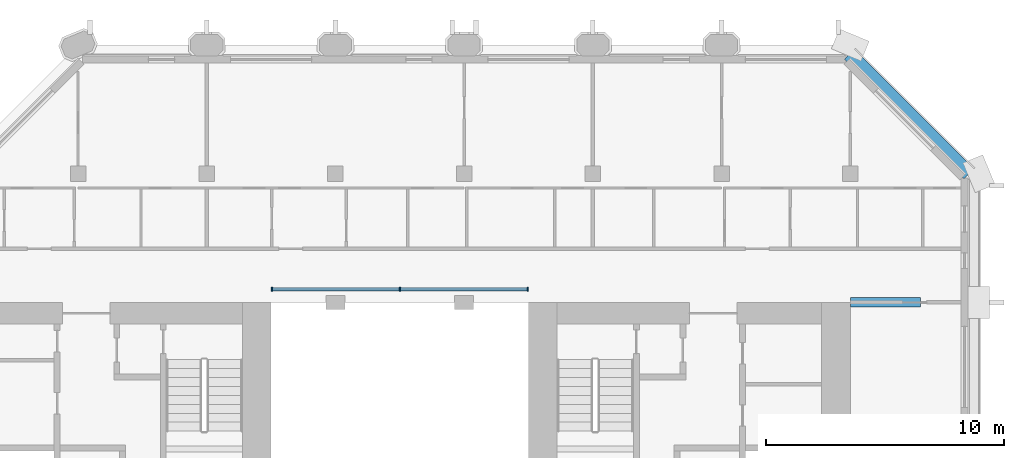
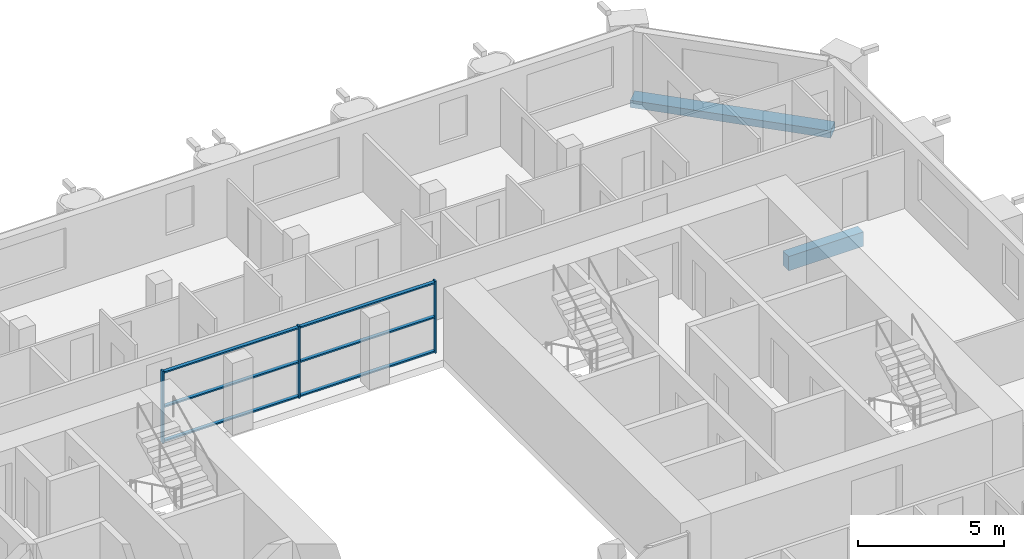
# One storey, part 4 of 14: 9 members, 2 beams, 1 element without a shape of its own.
"""IFC4 building model written with IfcOpenShell, lengths in metres."""

import ifcopenshell
import ifcopenshell.guid

model = None  # the IFC model being written
_history = None  # IfcOwnerHistory: only IFC2X3 demands one
_inside = {}  # id of a spatial element -> (the spatial element, [elements in it])
_under = {}  # id of a project, library or spatial element -> (it, [spatial elements below it])
_declared = {}  # id of a project -> (the project, [libraries it declares])
_typed = {}  # id of a type object -> (the type object, [elements of that type])
_made_of = {}  # id of a material, layer set ... -> (it, [elements and type objects made of it])


def new_model(schema):
    """Start an empty IFC model of exactly this schema.

    Asked for "IFC4X3", IfcOpenShell would pick the latest addendum, in which some entities
    have other attributes; the version numbers below select the first issue.
    IFC2X3 requires an IfcOwnerHistory on every rooted entity: one is made here for all.
    """
    global model, _history
    if schema == "IFC4X3":
        model = ifcopenshell.file(schema_version=(4, 3, 0, 0))
    else:
        model = ifcopenshell.file(schema=schema)
    _inside.clear()
    _under.clear()
    _declared.clear()
    _typed.clear()
    _made_of.clear()
    _history = None
    if model.schema == "IFC2X3":
        org = make("IfcOrganization", Name="unknown")
        user = make(
            "IfcPersonAndOrganization",
            ThePerson=make("IfcPerson", FamilyName="unknown"),
            TheOrganization=org,
        )
        app = make(
            "IfcApplication",
            ApplicationDeveloper=org,
            Version="unknown",
            ApplicationFullName="unknown",
            ApplicationIdentifier="unknown",
        )
        _history = make(
            "IfcOwnerHistory",
            OwningUser=user,
            OwningApplication=app,
            ChangeAction="ADDED",
            CreationDate=0,
        )
    return model


def make(cls, **values):
    """One entity of the class cls with the attributes given. An attribute that is None is left unset."""
    return model.create_entity(
        cls, **{name: value for name, value in values.items() if value is not None}
    )


def rooted(cls, **values):
    """An entity with a GlobalId (a new one), such as an element, a storey or a relation."""
    return make(cls, GlobalId=ifcopenshell.guid.new(), OwnerHistory=_history, **values)


def si_unit(unit_type, name, prefix=None):
    """IfcSIUnit, for example si_unit("LENGTHUNIT", "METRE", prefix="MILLI")."""
    return make("IfcSIUnit", UnitType=unit_type, Prefix=prefix, Name=name)


def assignment(units):
    """IfcUnitAssignment: the units of a project."""
    return None if units is None else make("IfcUnitAssignment", Units=units)


def point(xyz):
    """IfcCartesianPoint."""
    return None if xyz is None else make("IfcCartesianPoint", Coordinates=xyz)


def direction(xyz):
    """IfcDirection."""
    return None if xyz is None else make("IfcDirection", DirectionRatios=xyz)


def frame(location, z_axis=None, x_axis=None):
    """IfcAxis2Placement3D, a coordinate frame: its origin and axes. An axis left out is left unset."""
    return make(
        "IfcAxis2Placement3D",
        Location=point(location),
        Axis=direction(z_axis),
        RefDirection=direction(x_axis),
    )


def frame_2d(location, x_axis=None):
    """IfcAxis2Placement2D, a coordinate frame in the plane: its origin and x axis."""
    return make(
        "IfcAxis2Placement2D", Location=point(location), RefDirection=direction(x_axis)
    )


def origin():
    """The frame at (0, 0, 0) with its axes left unset."""
    return frame((0.0, 0.0, 0.0))


def origin_2d():
    """The frame at (0, 0) in the plane with its x axis left unset."""
    return frame_2d((0.0, 0.0))


def place(relative_to, where):
    """IfcLocalPlacement: puts the frame where relative to a parent placement (None: the world)."""
    return make(
        "IfcLocalPlacement", PlacementRelTo=relative_to, RelativePlacement=where
    )


def context(
    kind, dimensions, precision=None, world=None, true_north=None, identifier=None
):
    """IfcGeometricRepresentationContext, for example the 3D "Model" context."""
    return make(
        "IfcGeometricRepresentationContext",
        ContextIdentifier=identifier,
        ContextType=kind,
        CoordinateSpaceDimension=dimensions,
        Precision=precision,
        WorldCoordinateSystem=world,
        TrueNorth=true_north,
    )


def subcontext(parent, identifier, kind, view, scale=None):
    """IfcGeometricRepresentationSubContext, for example "Body" below "Model"."""
    return make(
        "IfcGeometricRepresentationSubContext",
        ContextIdentifier=identifier,
        ContextType=kind,
        ParentContext=parent,
        TargetScale=scale,
        TargetView=view,
    )


def project(units=None, contexts=None):
    """IfcProject with its units and contexts."""
    return rooted(
        "IfcProject",
        Name="project",
        RepresentationContexts=contexts,
        UnitsInContext=assignment(units),
    )


def spatial(cls, under=None, at=None, **own):
    """A site, building, storey or space (cls), placed at a placement, below another one or the project."""
    s = rooted(cls, ObjectPlacement=at, **own)
    if under is not None:
        _under.setdefault(under.id(), (under, []))[1].append(s)
    return s


def profile(cls, at=None, kind="AREA", **sizes):
    """A parametric profile (cls). Its sizes go by their IFC names, for example OverallWidth=200.0."""
    return make(cls, ProfileType=kind, Position=at, **sizes)


def rectangle(**sizes):
    """IfcRectangleProfileDef."""
    return profile("IfcRectangleProfileDef", **sizes)


def extrude(swept, where, along, depth):
    """IfcExtrudedAreaSolid: the profile swept, set in the frame where, extruded along a direction by depth."""
    return make(
        "IfcExtrudedAreaSolid",
        SweptArea=swept,
        Position=where,
        ExtrudedDirection=direction(along),
        Depth=depth,
    )


def shape(context_of_items, identifier, shape_type, items):
    """IfcShapeRepresentation: the items that make up one representation, for example the "Body"."""
    return make(
        "IfcShapeRepresentation",
        ContextOfItems=context_of_items,
        RepresentationIdentifier=identifier,
        RepresentationType=shape_type,
        Items=items,
    )


def material(Name=None, Category=None):
    """IfcMaterial."""
    return make("IfcMaterial", Name=Name, Category=Category)


def material_profile(
    of_material, cross_section, Name=None, Category=None, Priority=None
):
    """IfcMaterialProfile: a cross section and its material."""
    return make(
        "IfcMaterialProfile",
        Name=Name,
        Material=of_material,
        Profile=cross_section,
        Priority=Priority,
        Category=Category,
    )


def profile_set(profiles, Name=None, composite=None):
    """IfcMaterialProfileSet."""
    return make(
        "IfcMaterialProfileSet",
        Name=Name,
        MaterialProfiles=profiles,
        CompositeProfile=composite,
    )


def made_of(thing, what):
    """Note that an element or type object is made of a material, layer set ...; save() writes the relation."""
    if what is not None:
        _made_of.setdefault(what.id(), (what, []))[1].append(thing)
    return thing


def type_object(cls, material=None, **own):
    """A type object (cls), such as IfcWallType, which elements share."""
    return made_of(rooted(cls, **own), material)


def element(
    cls,
    number,
    at=None,
    inside=None,
    cuts=None,
    type_object=None,
    material=None,
    context=None,
    identifier="Body",
    shape_type=None,
    held_by="IfcProductDefinitionShape",
    body=None,
    shapes=None,
    **own,
):
    """One element of the class cls, such as IfcWall. Its Tag is "e" and its number.

    at: its placement. inside: the storey or other place that contains it. cuts: it is an
    opening in that element (IfcRelVoidsElement). A single representation is given by context,
    identifier, shape_type and body (its items); several are given by shapes. held_by: the class
    of the entity that holds the representations. save() writes the other relations.
    """
    e = rooted(cls, Tag="e%d" % number, ObjectPlacement=at, **own)
    if body is not None:
        shapes = [shape(context, identifier, shape_type, body)]
    if shapes is not None:
        e.Representation = make(held_by, Representations=shapes)
    if inside is not None:
        _inside.setdefault(inside.id(), (inside, []))[1].append(e)
    if cuts is not None:
        rooted(
            "IfcRelVoidsElement", RelatingBuildingElement=cuts, RelatedOpeningElement=e
        )
    if type_object is not None:
        _typed.setdefault(type_object.id(), (type_object, []))[1].append(e)
    return made_of(e, material)


def aggregate(whole, parts):
    """IfcRelAggregates: a whole, such as a stair, and the parts it consists of."""
    return rooted("IfcRelAggregates", RelatingObject=whole, RelatedObjects=parts)


def save(model, path):
    """Write the relations noted so far, then the file.

    IfcRelAggregates (storeys below a building ...), IfcRelContainedInSpatialStructure (elements
    in a storey), IfcRelDefinesByType, IfcRelAssociatesMaterial and IfcRelDeclares: one each for
    every whole, place, type object, material and project.
    """
    for whole, parts in _under.values():
        aggregate(whole, parts)
    for where, things in _inside.values():
        rooted(
            "IfcRelContainedInSpatialStructure",
            RelatedElements=things,
            RelatingStructure=where,
        )
    for kind, things in _typed.values():
        rooted("IfcRelDefinesByType", RelatedObjects=things, RelatingType=kind)
    for what, things in _made_of.values():
        rooted("IfcRelAssociatesMaterial", RelatedObjects=things, RelatingMaterial=what)
    for by, libraries in _declared.values():
        rooted("IfcRelDeclares", RelatingContext=by, RelatedDefinitions=libraries)
    model.write(path)


model = new_model("IFC4")

# Units and contexts
model_context = context("Model", 3, precision=1e-05, world=origin(), true_north=direction((0.0, 1.0)))
body_context = subcontext(model_context, "Body", "Model", "MODEL_VIEW")
ifc_project = project(units=[si_unit("LENGTHUNIT", "METRE"), si_unit("AREAUNIT", "SQUARE_METRE"), si_unit("VOLUMEUNIT", "CUBIC_METRE"), si_unit("PLANEANGLEUNIT", "RADIAN"), si_unit("MASSUNIT", "GRAM", prefix="KILO")], contexts=[model_context])

# Site, building, storey
site_placement = place(None, origin())
site = spatial("IfcSite", under=ifc_project, at=site_placement, CompositionType="ELEMENT")
building_placement = place(site_placement, origin())
building = spatial("IfcBuilding", under=site, at=building_placement, Name="Tabaq Tower and Sports Hall", CompositionType="ELEMENT")
storey_placement = place(building_placement, frame((0.0, 0.0, 285.10009765625)))
storey = spatial("IfcBuildingStorey", under=building, at=storey_placement, Name="L70", CompositionType="ELEMENT", Elevation=285.10009765625)

# Curtain wall, members
ifc_material_1 = material(Name="Aluminium alloy 6063-T6 framed glazing", Category="aluminium")
curtain_wall_type = type_object("IfcCurtainWallType", Name="CW1 curtain wall", PredefinedType="USERDEFINED", material=ifc_material_1)
curtain_wall_placement = place(storey_placement, origin())
curtain_wall = element("IfcCurtainWall", 1, at=curtain_wall_placement, inside=storey, type_object=curtain_wall_type, Name="Atrium glazing L70 N", ObjectType="ATRIUM ENCLOSURE", PredefinedType="USERDEFINED")
ifc_material_2 = material(Name="Aluminium alloy 6063-T6", Category="aluminium")
ifc_material_profile_1 = material_profile(ifc_material_2, rectangle(XDim=0.159912109375, YDim=0.06005859375, at=origin_2d()), Name="MULLION 160x60")
ifc_profile_set_1 = profile_set([ifc_material_profile_1], Name="Aluminium alloy 6063-T6")
member_type_1 = type_object("IfcMemberType", Name="CW1 mullion 160x60", PredefinedType="MULLION", material=ifc_profile_set_1)
member_1_placement = place(storey_placement, frame((18.929931640625, 32.949951171875, 0.0), z_axis=(0.0, 0.0, 1.0), x_axis=(0.0, 1.0, 0.0)))
member_1 = element("IfcMember", 2, at=member_1_placement, type_object=member_type_1, Name="CW1 mullion 1", PredefinedType="MULLION", context=body_context, shape_type="SweptSolid", body=[
    extrude(rectangle(XDim=0.159912109375, YDim=0.06005859375, at=origin_2d()), origin(), (0.0, 0.0, 1.0), 3.0),
])
member_2_placement = place(storey_placement, frame((24.300048828125, 32.949951171875, 0.0), z_axis=(0.0, 0.0, 1.0), x_axis=(0.0, 1.0, 0.0)))
member_2 = element("IfcMember", 3, at=member_2_placement, type_object=member_type_1, Name="CW1 mullion 2", PredefinedType="MULLION", context=body_context, shape_type="SweptSolid", body=[
    extrude(rectangle(XDim=0.159912109375, YDim=0.06005859375, at=origin_2d()), origin(), (0.0, 0.0, 1.0), 3.0),
])
member_3_placement = place(storey_placement, frame((29.669921875, 32.949951171875, 0.0), z_axis=(0.0, 0.0, 1.0), x_axis=(0.0, 1.0, 0.0)))
member_3 = element("IfcMember", 4, at=member_3_placement, type_object=member_type_1, Name="CW1 mullion 3", PredefinedType="MULLION", context=body_context, shape_type="SweptSolid", body=[
    extrude(rectangle(XDim=0.159912109375, YDim=0.06005859375, at=origin_2d()), origin(), (0.0, 0.0, 1.0), 3.0),
])
ifc_material_3 = material(Name="Aluminium alloy 6063-T6", Category="aluminium")
ifc_material_profile_2 = material_profile(ifc_material_3, rectangle(XDim=0.139892578125, YDim=0.06005859375, at=origin_2d()), Name="TRANSOM 140x60")
ifc_profile_set_2 = profile_set([ifc_material_profile_2], Name="Aluminium alloy 6063-T6")
member_type_2 = type_object("IfcMemberType", Name="CW1 transom 140x60", PredefinedType="USERDEFINED", material=ifc_profile_set_2)
member_4_placement = place(storey_placement, frame((18.9599609375, 32.949951171875, 0.06982421875), z_axis=(1.0, 0.0, 0.0), x_axis=(0.0, 1.0, 0.0)))
member_4 = element("IfcMember", 5, at=member_4_placement, type_object=member_type_2, Name="CW1 transom 1.1", ObjectType="TRANSOM", PredefinedType="USERDEFINED", context=body_context, shape_type="SweptSolid", body=[
    extrude(rectangle(XDim=0.139892578125, YDim=0.06005859375, at=origin_2d()), origin(), (0.0, 0.0, 1.0), 5.31005859375),
])
member_5_placement = place(storey_placement, frame((18.9599609375, 32.949951171875, 1.5), z_axis=(1.0, 0.0, 0.0), x_axis=(0.0, 1.0, 0.0)))
member_5 = element("IfcMember", 6, at=member_5_placement, type_object=member_type_2, Name="CW1 transom 1.2", ObjectType="TRANSOM", PredefinedType="USERDEFINED", context=body_context, shape_type="SweptSolid", body=[
    extrude(rectangle(XDim=0.139892578125, YDim=0.06005859375, at=origin_2d()), origin(), (0.0, 0.0, 1.0), 5.31005859375),
])
member_6_placement = place(storey_placement, frame((18.9599609375, 32.949951171875, 2.929931640625), z_axis=(1.0, 0.0, 0.0), x_axis=(0.0, 1.0, 0.0)))
member_6 = element("IfcMember", 7, at=member_6_placement, type_object=member_type_2, Name="CW1 transom 1.3", ObjectType="TRANSOM", PredefinedType="USERDEFINED", context=body_context, shape_type="SweptSolid", body=[
    extrude(rectangle(XDim=0.139892578125, YDim=0.06005859375, at=origin_2d()), origin(), (0.0, 0.0, 1.0), 5.31005859375),
])
member_7_placement = place(storey_placement, frame((24.330078125, 32.949951171875, 0.06982421875), z_axis=(1.0, 0.0, 0.0), x_axis=(0.0, 1.0, 0.0)))
member_7 = element("IfcMember", 8, at=member_7_placement, type_object=member_type_2, Name="CW1 transom 2.1", ObjectType="TRANSOM", PredefinedType="USERDEFINED", context=body_context, shape_type="SweptSolid", body=[
    extrude(rectangle(XDim=0.139892578125, YDim=0.06005859375, at=origin_2d()), origin(), (0.0, 0.0, 1.0), 5.309814453125),
])
member_8_placement = place(storey_placement, frame((24.330078125, 32.949951171875, 1.5), z_axis=(1.0, 0.0, 0.0), x_axis=(0.0, 1.0, 0.0)))
member_8 = element("IfcMember", 9, at=member_8_placement, type_object=member_type_2, Name="CW1 transom 2.2", ObjectType="TRANSOM", PredefinedType="USERDEFINED", context=body_context, shape_type="SweptSolid", body=[
    extrude(rectangle(XDim=0.139892578125, YDim=0.06005859375, at=origin_2d()), origin(), (0.0, 0.0, 1.0), 5.309814453125),
])
member_9_placement = place(storey_placement, frame((24.330078125, 32.949951171875, 2.929931640625), z_axis=(1.0, 0.0, 0.0), x_axis=(0.0, 1.0, 0.0)))
member_9 = element("IfcMember", 10, at=member_9_placement, type_object=member_type_2, Name="CW1 transom 2.3", ObjectType="TRANSOM", PredefinedType="USERDEFINED", context=body_context, shape_type="SweptSolid", body=[
    extrude(rectangle(XDim=0.139892578125, YDim=0.06005859375, at=origin_2d()), origin(), (0.0, 0.0, 1.0), 5.309814453125),
])
aggregate(curtain_wall, [member_1, member_2, member_3, member_4, member_5, member_6, member_7, member_8, member_9])

# Beams
ifc_material_4 = material(Name="Concrete C40/50", Category="concrete")
ifc_material_profile_3 = material_profile(ifc_material_4, rectangle(XDim=0.39990234375, YDim=0.60009765625, at=origin_2d()), Name="CB 400x600")
ifc_profile_set_3 = profile_set([ifc_material_profile_3], Name="Concrete C40/50")
beam_type_1 = type_object("IfcBeamType", Name="PT CANTILEVER BEAM CB 400x600 C40/50", PredefinedType="BEAM", material=ifc_profile_set_3)
beam_1_placement = place(storey_placement, frame((46.14990234375, 32.39990234375, -0.60009765625), z_axis=(-1.0, 0.0, 0.0), x_axis=(0.0, -1.0, 0.0)))
element("IfcBeam", 11, at=beam_1_placement, inside=storey, type_object=beam_type_1, Name="Cantilever Beam L70 E6 span 1", PredefinedType="BEAM", context=body_context, shape_type="SweptSolid", body=[
    extrude(rectangle(XDim=0.39990234375, YDim=0.60009765625, at=origin_2d()), origin(), (0.0, 0.0, 1.0), 2.949951171875),
])
ifc_material_5 = material(Name="Concrete C40/50", Category="concrete")
ifc_material_profile_4 = material_profile(ifc_material_5, rectangle(XDim=0.60009765625, YDim=0.300048828125, at=origin_2d()), Name="EB 600x300")
ifc_profile_set_4 = profile_set([ifc_material_profile_4], Name="Concrete C40/50")
beam_type_2 = type_object("IfcBeamType", Name="PT EDGE BEAM EB 600x300 C40/50", PredefinedType="SPANDREL", material=ifc_profile_set_4)
beam_2_placement = place(storey_placement, frame((48.1767578125, 37.799072265625, -0.150146484375), z_axis=(-0.707124002701, 0.707089559252, 0.0), x_axis=(-0.707089559252, -0.707124002701, 0.0)))
element("IfcBeam", 12, at=beam_2_placement, inside=storey, type_object=beam_type_2, Name="Edge Beam L70 4", PredefinedType="SPANDREL", context=body_context, shape_type="SweptSolid", body=[
    extrude(rectangle(XDim=0.60009765625, YDim=0.300048828125, at=origin_2d()), origin(), (0.0, 0.0, 1.0), 7.088134765625),
])

save(model, "model.ifc")
